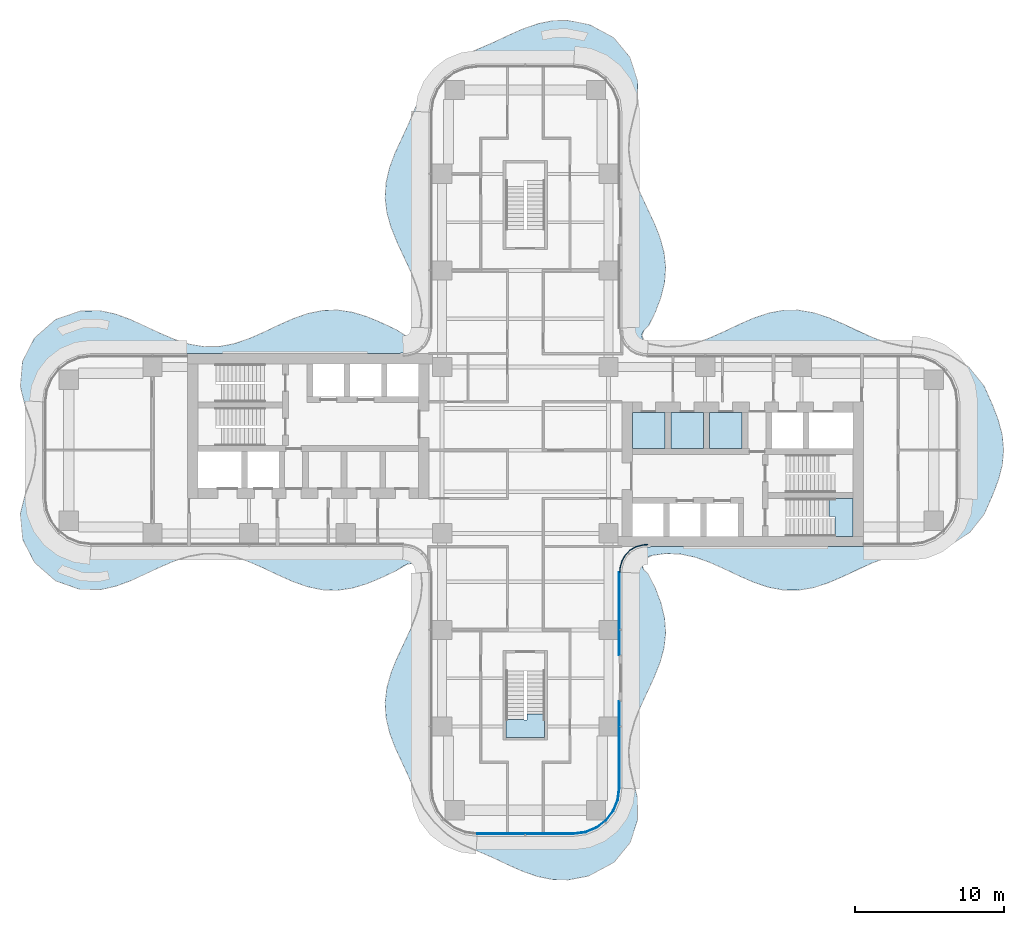
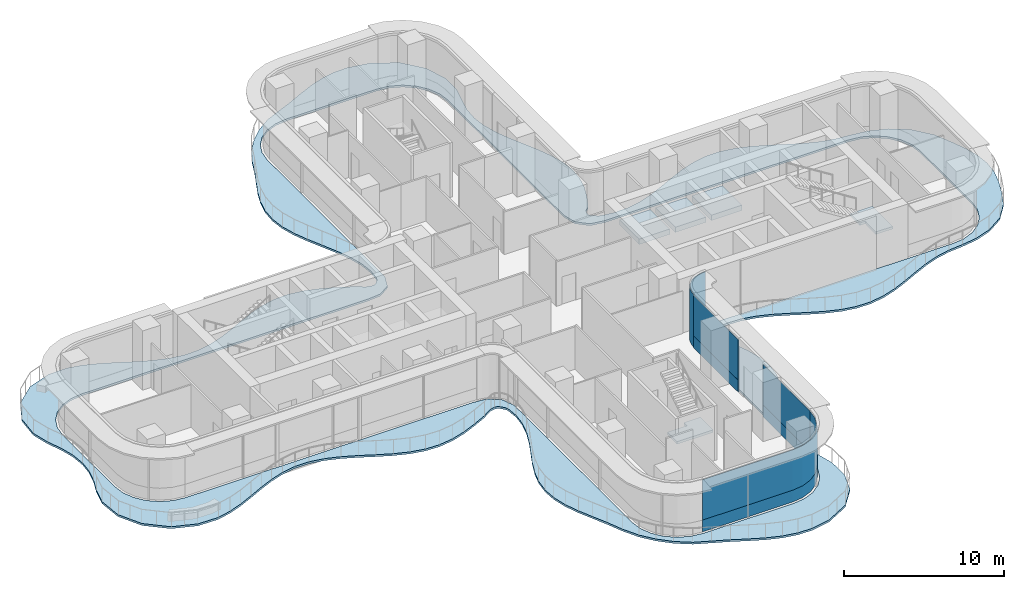
# One storey, part 13 of 20: 7 plates, 6 slabs, 6 elements without a shape of their own.
"""IFC4 building model written with IfcOpenShell, lengths in metres."""

import ifcopenshell
import ifcopenshell.guid

model = None  # the IFC model being written
_history = None  # IfcOwnerHistory: only IFC2X3 demands one
_inside = {}  # id of a spatial element -> (the spatial element, [elements in it])
_under = {}  # id of a project, library or spatial element -> (it, [spatial elements below it])
_declared = {}  # id of a project -> (the project, [libraries it declares])
_typed = {}  # id of a type object -> (the type object, [elements of that type])
_made_of = {}  # id of a material, layer set ... -> (it, [elements and type objects made of it])


def new_model(schema):
    """Start an empty IFC model of exactly this schema.

    Asked for "IFC4X3", IfcOpenShell would pick the latest addendum, in which some entities
    have other attributes; the version numbers below select the first issue.
    IFC2X3 requires an IfcOwnerHistory on every rooted entity: one is made here for all.
    """
    global model, _history
    if schema == "IFC4X3":
        model = ifcopenshell.file(schema_version=(4, 3, 0, 0))
    else:
        model = ifcopenshell.file(schema=schema)
    _inside.clear()
    _under.clear()
    _declared.clear()
    _typed.clear()
    _made_of.clear()
    _history = None
    if model.schema == "IFC2X3":
        org = make("IfcOrganization", Name="unknown")
        user = make(
            "IfcPersonAndOrganization",
            ThePerson=make("IfcPerson", FamilyName="unknown"),
            TheOrganization=org,
        )
        app = make(
            "IfcApplication",
            ApplicationDeveloper=org,
            Version="unknown",
            ApplicationFullName="unknown",
            ApplicationIdentifier="unknown",
        )
        _history = make(
            "IfcOwnerHistory",
            OwningUser=user,
            OwningApplication=app,
            ChangeAction="ADDED",
            CreationDate=0,
        )
    return model


def make(cls, **values):
    """One entity of the class cls with the attributes given. An attribute that is None is left unset."""
    return model.create_entity(
        cls, **{name: value for name, value in values.items() if value is not None}
    )


def rooted(cls, **values):
    """An entity with a GlobalId (a new one), such as an element, a storey or a relation."""
    return make(cls, GlobalId=ifcopenshell.guid.new(), OwnerHistory=_history, **values)


def si_unit(unit_type, name, prefix=None):
    """IfcSIUnit, for example si_unit("LENGTHUNIT", "METRE", prefix="MILLI")."""
    return make("IfcSIUnit", UnitType=unit_type, Prefix=prefix, Name=name)


def assignment(units):
    """IfcUnitAssignment: the units of a project."""
    return None if units is None else make("IfcUnitAssignment", Units=units)


def point(xyz):
    """IfcCartesianPoint."""
    return None if xyz is None else make("IfcCartesianPoint", Coordinates=xyz)


def direction(xyz):
    """IfcDirection."""
    return None if xyz is None else make("IfcDirection", DirectionRatios=xyz)


def frame(location, z_axis=None, x_axis=None):
    """IfcAxis2Placement3D, a coordinate frame: its origin and axes. An axis left out is left unset."""
    return make(
        "IfcAxis2Placement3D",
        Location=point(location),
        Axis=direction(z_axis),
        RefDirection=direction(x_axis),
    )


def origin():
    """The frame at (0, 0, 0) with its axes left unset."""
    return frame((0.0, 0.0, 0.0))


def place(relative_to, where):
    """IfcLocalPlacement: puts the frame where relative to a parent placement (None: the world)."""
    return make(
        "IfcLocalPlacement", PlacementRelTo=relative_to, RelativePlacement=where
    )


def context(
    kind, dimensions, precision=None, world=None, true_north=None, identifier=None
):
    """IfcGeometricRepresentationContext, for example the 3D "Model" context."""
    return make(
        "IfcGeometricRepresentationContext",
        ContextIdentifier=identifier,
        ContextType=kind,
        CoordinateSpaceDimension=dimensions,
        Precision=precision,
        WorldCoordinateSystem=world,
        TrueNorth=true_north,
    )


def subcontext(parent, identifier, kind, view, scale=None):
    """IfcGeometricRepresentationSubContext, for example "Body" below "Model"."""
    return make(
        "IfcGeometricRepresentationSubContext",
        ContextIdentifier=identifier,
        ContextType=kind,
        ParentContext=parent,
        TargetScale=scale,
        TargetView=view,
    )


def project(units=None, contexts=None):
    """IfcProject with its units and contexts."""
    return rooted(
        "IfcProject",
        Name="project",
        RepresentationContexts=contexts,
        UnitsInContext=assignment(units),
    )


def spatial(cls, under=None, at=None, **own):
    """A site, building, storey or space (cls), placed at a placement, below another one or the project."""
    s = rooted(cls, ObjectPlacement=at, **own)
    if under is not None:
        _under.setdefault(under.id(), (under, []))[1].append(s)
    return s


def polyline(points):
    """IfcPolyline through the points."""
    return make("IfcPolyline", Points=[point(p) for p in points])


def outline(outer, holes=None, kind="AREA"):
    """IfcArbitraryClosedProfileDef: a profile drawn as a closed curve; with holes, ...WithVoids."""
    if holes is None:
        return make("IfcArbitraryClosedProfileDef", ProfileType=kind, OuterCurve=outer)
    return make(
        "IfcArbitraryProfileDefWithVoids",
        ProfileType=kind,
        OuterCurve=outer,
        InnerCurves=holes,
    )


def extrude(swept, where, along, depth):
    """IfcExtrudedAreaSolid: the profile swept, set in the frame where, extruded along a direction by depth."""
    return make(
        "IfcExtrudedAreaSolid",
        SweptArea=swept,
        Position=where,
        ExtrudedDirection=direction(along),
        Depth=depth,
    )


def shape(context_of_items, identifier, shape_type, items):
    """IfcShapeRepresentation: the items that make up one representation, for example the "Body"."""
    return make(
        "IfcShapeRepresentation",
        ContextOfItems=context_of_items,
        RepresentationIdentifier=identifier,
        RepresentationType=shape_type,
        Items=items,
    )


def source(mapping_origin, context_of_items, identifier, shape_type, items):
    """IfcRepresentationMap: a shape defined once, which mapped items show again and again."""
    return make(
        "IfcRepresentationMap",
        MappingOrigin=mapping_origin,
        MappedRepresentation=shape(context_of_items, identifier, shape_type, items),
    )


def transform(
    local_origin,
    x_axis=None,
    y_axis=None,
    z_axis=None,
    scale=None,
    scale2=None,
    scale3=None,
    uniform=True,
):
    """IfcCartesianTransformationOperator3D, or its non-uniform kind. x_axis, y_axis, z_axis: its Axis1, 2, 3."""
    if uniform:
        return make(
            "IfcCartesianTransformationOperator3D",
            Axis1=direction(x_axis),
            Axis2=direction(y_axis),
            LocalOrigin=point(local_origin),
            Scale=scale,
            Axis3=direction(z_axis),
        )
    return make(
        "IfcCartesianTransformationOperator3DnonUniform",
        Axis1=direction(x_axis),
        Axis2=direction(y_axis),
        LocalOrigin=point(local_origin),
        Scale=scale,
        Axis3=direction(z_axis),
        Scale2=scale2,
        Scale3=scale3,
    )


def mapped(mapping_source, mapping_target):
    """IfcMappedItem: shows the shape of a source again, moved by a transform."""
    return make(
        "IfcMappedItem", MappingSource=mapping_source, MappingTarget=mapping_target
    )


def material(Name=None, Category=None):
    """IfcMaterial."""
    return make("IfcMaterial", Name=Name, Category=Category)


def layer(
    of_material, thickness, ventilated=None, Name=None, Category=None, Priority=None
):
    """IfcMaterialLayer: one layer of a wall or slab, of a material (None: an air gap)."""
    return make(
        "IfcMaterialLayer",
        Material=of_material,
        LayerThickness=thickness,
        IsVentilated=ventilated,
        Name=Name,
        Category=Category,
        Priority=Priority,
    )


def layer_set(layers, Name=None):
    """IfcMaterialLayerSet."""
    return make("IfcMaterialLayerSet", MaterialLayers=layers, LayerSetName=Name)


def made_of(thing, what):
    """Note that an element or type object is made of a material, layer set ...; save() writes the relation."""
    if what is not None:
        _made_of.setdefault(what.id(), (what, []))[1].append(thing)
    return thing


def type_object(cls, material=None, **own):
    """A type object (cls), such as IfcWallType, which elements share."""
    return made_of(rooted(cls, **own), material)


def element(
    cls,
    number,
    at=None,
    inside=None,
    cuts=None,
    type_object=None,
    material=None,
    context=None,
    identifier="Body",
    shape_type=None,
    held_by="IfcProductDefinitionShape",
    body=None,
    shapes=None,
    **own,
):
    """One element of the class cls, such as IfcWall. Its Tag is "e" and its number.

    at: its placement. inside: the storey or other place that contains it. cuts: it is an
    opening in that element (IfcRelVoidsElement). A single representation is given by context,
    identifier, shape_type and body (its items); several are given by shapes. held_by: the class
    of the entity that holds the representations. save() writes the other relations.
    """
    e = rooted(cls, Tag="e%d" % number, ObjectPlacement=at, **own)
    if body is not None:
        shapes = [shape(context, identifier, shape_type, body)]
    if shapes is not None:
        e.Representation = make(held_by, Representations=shapes)
    if inside is not None:
        _inside.setdefault(inside.id(), (inside, []))[1].append(e)
    if cuts is not None:
        rooted(
            "IfcRelVoidsElement", RelatingBuildingElement=cuts, RelatedOpeningElement=e
        )
    if type_object is not None:
        _typed.setdefault(type_object.id(), (type_object, []))[1].append(e)
    return made_of(e, material)


def aggregate(whole, parts):
    """IfcRelAggregates: a whole, such as a stair, and the parts it consists of."""
    return rooted("IfcRelAggregates", RelatingObject=whole, RelatedObjects=parts)


def save(model, path):
    """Write the relations noted so far, then the file.

    IfcRelAggregates (storeys below a building ...), IfcRelContainedInSpatialStructure (elements
    in a storey), IfcRelDefinesByType, IfcRelAssociatesMaterial and IfcRelDeclares: one each for
    every whole, place, type object, material and project.
    """
    for whole, parts in _under.values():
        aggregate(whole, parts)
    for where, things in _inside.values():
        rooted(
            "IfcRelContainedInSpatialStructure",
            RelatedElements=things,
            RelatingStructure=where,
        )
    for kind, things in _typed.values():
        rooted("IfcRelDefinesByType", RelatedObjects=things, RelatingType=kind)
    for what, things in _made_of.values():
        rooted("IfcRelAssociatesMaterial", RelatedObjects=things, RelatingMaterial=what)
    for by, libraries in _declared.values():
        rooted("IfcRelDeclares", RelatingContext=by, RelatedDefinitions=libraries)
    model.write(path)


model = new_model("IFC4")

# Units and contexts
model_context = context("Model", 3, precision=1e-05, world=origin(), true_north=direction((0.0, 1.0)))
body_context = subcontext(model_context, "Body", "Model", "MODEL_VIEW")
ifc_project = project(units=[si_unit("LENGTHUNIT", "METRE"), si_unit("AREAUNIT", "SQUARE_METRE"), si_unit("VOLUMEUNIT", "CUBIC_METRE"), si_unit("PLANEANGLEUNIT", "RADIAN"), si_unit("MASSUNIT", "GRAM", prefix="KILO")], contexts=[model_context])

# Site, building, storey
site_placement = place(None, origin())
site = spatial("IfcSite", under=ifc_project, at=site_placement, CompositionType="ELEMENT")
building_placement = place(site_placement, origin())
building = spatial("IfcBuilding", under=site, at=building_placement, Name="Trellis Farm Tower", CompositionType="ELEMENT")
storey_placement = place(building_placement, frame((0.0, 0.0, 151.5)))
storey = spatial("IfcBuildingStorey", under=building, at=storey_placement, Name="L32", CompositionType="ELEMENT", Elevation=151.5)

# Slab
ifc_material_1 = material(Name="Concrete C40/50", Category="concrete")
ifc_layer_1 = layer(ifc_material_1, 0.14990234375)
ifc_layer_set_1 = layer_set([ifc_layer_1], Name="Balcony slab 150")
slab_type_1 = type_object("IfcSlabType", Name="Balcony slab 150", PredefinedType="FLOOR", material=ifc_layer_set_1)
slab_1_placement = place(storey_placement, frame((0.0, 0.0, -0.14990234375)))
element("IfcSlab", 1, at=slab_1_placement, inside=storey, type_object=slab_type_1, Name="Balcony slab", PredefinedType="FLOOR", context=body_context, shape_type="SweptSolid", body=[
    extrude(outline(polyline([(-8.7001953125, -8.1171875), (-9.671630859375, -8.576171875), (-9.677978515625, -8.578857421875), (-10.66015625, -8.9892578125), (-10.67431640625, -8.994384765625), (-11.6484375, -9.290283203125), (-11.6708984375, -9.29541015625), (-12.671142578125, -9.43896484375), (-12.697998046875, -9.440185546875), (-13.667724609375, -9.404052734375), (-13.693115234375, -9.40087890625), (-14.6640625, -9.1962890625), (-14.68310546875, -9.19091796875), (-15.660400390625, -8.84521484375), (-15.67138671875, -8.8408203125), (-16.65673828125, -8.40087890625), (-16.659912109375, -8.3994140625), (-17.657470703125, -7.92529296875), (-17.65966796875, -7.92431640625), (-18.661865234375, -7.48876953125), (-18.668212890625, -7.486083984375), (-19.666259765625, -7.156494140625), (-19.676513671875, -7.154052734375), (-20.668212890625, -6.977294921875), (-20.68115234375, -6.97607421875), (-21.66455078125, -6.974609375), (-21.677490234375, -6.9755859375), (-22.656494140625, -7.146484375), (-22.666748046875, -7.14892578125), (-23.646240234375, -7.4677734375), (-23.652587890625, -7.47021484375), (-24.6240234375, -7.88818359375), (-24.626708984375, -7.889404296875), (-25.62841796875, -8.36474609375), (-25.631103515625, -8.365966796875), (-26.626220703125, -8.814208984375), (-26.63671875, -8.818603515625), (-27.602294921875, -9.16845703125), (-27.62060546875, -9.173828125), (-28.5810546875, -9.38818359375), (-28.61669921875, -9.3916015625), (-29.99951171875, -9.36328125), (-30.046142578125, -9.35498046875), (-31.5986328125, -8.80859375), (-31.624267578125, -8.796630859375), (-31.656005859375, -8.7783203125), (-31.678955078125, -8.761962890625), (-32.998046875, -7.6162109375), (-33.017578125, -7.595458984375), (-33.04052734375, -7.56640625), (-33.055908203125, -7.54248046875), (-33.8330078125, -6.0341796875), (-33.84375, -6.0078125), (-33.85400390625, -5.97265625), (-33.859375, -5.943603515625), (-34.002197265625, -4.325439453125), (-33.998291015625, -4.2763671875), (-33.688720703125, -3.0205078125), (-33.68310546875, -3.0029296875), (-33.305419921875, -2.016357421875), (-33.302978515625, -2.00830078125), (-33.048583984375, -1.0302734375), (-33.04638671875, -1.018310546875), (-32.95361328125, -0.038330078125), (-32.95361328125, -0.024658203125), (-33.04638671875, 1.018310546875), (-33.048583984375, 1.030517578125), (-33.302978515625, 2.00830078125), (-33.305419921875, 2.016357421875), (-33.68310546875, 3.0029296875), (-33.688720703125, 3.0205078125), (-33.998291015625, 4.2763671875), (-34.002197265625, 4.325439453125), (-33.859375, 5.943603515625), (-33.85400390625, 5.97265625), (-33.84375, 6.0078125), (-33.8330078125, 6.0341796875), (-33.055908203125, 7.54248046875), (-33.04052734375, 7.56640625), (-33.017578125, 7.595458984375), (-32.998046875, 7.6162109375), (-31.678955078125, 8.761962890625), (-31.656005859375, 8.7783203125), (-31.62451171875, 8.79638671875), (-31.598388671875, 8.80859375), (-29.991455078125, 9.364990234375), (-29.94482421875, 9.373046875), (-28.65673828125, 9.395751953125), (-28.622314453125, 9.392578125), (-27.642822265625, 9.18017578125), (-27.62353515625, 9.1748046875), (-26.62451171875, 8.813720703125), (-26.61376953125, 8.809326171875), (-25.631103515625, 8.365966796875), (-25.62841796875, 8.36474609375), (-24.626708984375, 7.889404296875), (-24.6240234375, 7.88818359375), (-23.622314453125, 7.458740234375), (-23.615478515625, 7.456298828125), (-22.617919921875, 7.136962890625), (-22.607421875, 7.134521484375), (-21.616455078125, 6.970703125), (-21.603271484375, 6.969482421875), (-20.6201171875, 6.981689453125), (-20.607421875, 6.98291015625), (-19.628662109375, 7.166259765625), (-19.61865234375, 7.168701171875), (-18.638916015625, 7.497314453125), (-18.6328125, 7.499755859375), (-17.65966796875, 7.92431640625), (-17.657470703125, 7.92529296875), (-16.65625, 8.401123046875), (-16.65283203125, 8.402587890625), (-15.658447265625, 8.845947265625), (-15.647216796875, 8.850341796875), (-14.660888671875, 9.197265625), (-14.641357421875, 9.20263671875), (-13.66357421875, 9.404541015625), (-13.637939453125, 9.407470703125), (-12.6669921875, 9.438720703125), (-12.640380859375, 9.437255859375), (-11.670654296875, 9.29541015625), (-11.648681640625, 9.290283203125), (-10.67431640625, 8.994384765625), (-10.66015625, 8.9892578125), (-9.685302734375, 8.58203125), (-9.678955078125, 8.579345703125), (-8.7001953125, 8.1171875), (-8.68359375, 8.10791015625), (-8.09375, 7.7314453125), (-8.080322265625, 7.724609375), (-7.96240234375, 7.679443359375), (-7.947509765625, 7.675537109375), (-7.677734375, 7.631103515625), (-7.658935546875, 7.630615234375), (-7.51318359375, 7.643798828125), (-7.478271484375, 7.656005859375), (-7.357177734375, 7.73828125), (-7.343017578125, 7.750732421875), (-7.119140625, 8.00439453125), (-7.106689453125, 8.0244140625), (-7.030029296875, 8.201904296875), (-7.024169921875, 8.22509765625), (-6.95458984375, 9.056640625), (-6.954833984375, 9.071044921875), (-7.060791015625, 10.0478515625), (-7.06298828125, 10.059326171875), (-7.328857421875, 11.0380859375), (-7.33154296875, 11.0458984375), (-7.712890625, 12.0087890625), (-7.714599609375, 12.012939453125), (-8.644775390625, 14.00634765625), (-8.64794921875, 14.013427734375), (-9.044189453125, 14.994384765625), (-9.049560546875, 15.010009765625), (-9.32373046875, 15.9833984375), (-9.328369140625, 16.00634765625), (-9.4443359375, 16.9755859375), (-9.4453125, 17.002685546875), (-9.3828125, 18.003173828125), (-9.379150390625, 18.0283203125), (-9.150634765625, 18.999755859375), (-9.145263671875, 19.017578125), (-8.786376953125, 19.98388671875), (-8.78173828125, 19.994873046875), (-7.860107421875, 21.980224609375), (-7.85888671875, 21.98291015625), (-7.401611328125, 23.07861328125), (-7.395751953125, 23.09130859375), (-6.8291015625, 24.158203125), (-6.814697265625, 24.180419921875), (-6.12255859375, 25.061279296875), (-6.10791015625, 25.077392578125), (-5.298828125, 25.845458984375), (-5.27978515625, 25.860595703125), (-4.286376953125, 26.5361328125), (-4.260986328125, 26.550048828125), (-2.131591796875, 27.45947265625), (-2.128662109375, 27.460693359375), (-1.130615234375, 27.93505859375), (-1.126953125, 27.93701171875), (-0.142333984375, 28.37158203125), (-0.13037109375, 28.376220703125), (0.869384765625, 28.71875), (0.888916015625, 28.72412109375), (1.836669921875, 28.910400390625), (1.862060546875, 28.9130859375), (2.826416015625, 28.935791015625), (2.8583984375, 28.93310546875), (4.287109375, 28.657958984375), (4.329345703125, 28.642822265625), (5.892578125, 27.8076171875), (5.9169921875, 27.79150390625), (5.9462890625, 27.767333984375), (5.967041015625, 27.74658203125), (7.033203125, 26.44921875), (7.048828125, 26.42578125), (7.066162109375, 26.394287109375), (7.077392578125, 26.36767578125), (7.560791015625, 24.841552734375), (7.56787109375, 24.793212890625), (7.538818359375, 23.384521484375), (7.533935546875, 23.349853515625), (7.2470703125, 22.245361328125), (7.24658203125, 22.2431640625), (7.01416015625, 21.228515625), (7.012451171875, 21.216064453125), (6.956298828125, 20.22998046875), (6.95654296875, 20.217041015625), (7.0654296875, 19.291015625), (7.067626953125, 19.279541015625), (7.355224609375, 18.247314453125), (7.35791015625, 18.2392578125), (7.7548828125, 17.25732421875), (7.75634765625, 17.253662109375), (8.678466796875, 15.279052734375), (8.68212890625, 15.27099609375), (9.070556640625, 14.290771484375), (9.075927734375, 14.274658203125), (9.339111328125, 13.3017578125), (9.343505859375, 13.2783203125), (9.4462890625, 12.30908203125), (9.44677734375, 12.281982421875), (9.37060546875, 11.281494140625), (9.36669921875, 11.2568359375), (9.12646484375, 10.284912109375), (9.12109375, 10.267578125), (8.75439453125, 9.302734375), (8.749267578125, 9.29052734375), (8.3125, 8.388671875), (8.297119140625, 8.363525390625), (8.274169921875, 8.333251953125), (8.254150390625, 8.3115234375), (7.99365234375, 8.080078125), (7.977294921875, 8.0595703125), (7.87548828125, 7.867919921875), (7.867431640625, 7.843017578125), (7.851806640625, 7.72607421875), (7.851806640625, 7.705078125), (7.876220703125, 7.54345703125), (7.893310546875, 7.506103515625), (8.00048828125, 7.3828125), (8.016357421875, 7.369140625), (8.3583984375, 7.148193359375), (8.372802734375, 7.14111328125), (8.4970703125, 7.094482421875), (8.512939453125, 7.09033203125), (9.44384765625, 6.960693359375), (9.45703125, 6.9599609375), (10.43896484375, 6.999267578125), (10.451416015625, 7.0009765625), (11.429931640625, 7.20849609375), (11.439453125, 7.211181640625), (12.3935546875, 7.54833984375), (12.39892578125, 7.550537109375), (13.40185546875, 7.996826171875), (13.4033203125, 7.997802734375), (14.40380859375, 8.47314453125), (14.408203125, 8.47509765625), (15.38671875, 8.90185546875), (15.3994140625, 8.90673828125), (16.399169921875, 9.239501953125), (16.41943359375, 9.24462890625), (17.3662109375, 9.418701171875), (17.391845703125, 9.421142578125), (18.36181640625, 9.430419921875), (18.388427734375, 9.42822265625), (19.388916015625, 9.25830078125), (19.409912109375, 9.253173828125), (20.38525390625, 8.9365234375), (20.398193359375, 8.931640625), (21.375732421875, 8.510986328125), (21.380859375, 8.5087890625), (22.37451171875, 8.037109375), (22.375732421875, 8.03662109375), (23.3603515625, 7.59228515625), (23.365478515625, 7.590087890625), (24.345947265625, 7.23388671875), (24.355224609375, 7.23095703125), (25.3857421875, 7.00244140625), (25.394775390625, 7.0009765625), (26.422607421875, 6.90283203125), (26.430908203125, 6.90185546875), (27.511474609375, 6.73779296875), (27.537109375, 6.7314453125), (28.68017578125, 6.34228515625), (28.712890625, 6.326416015625), (29.850830078125, 5.59423828125), (29.886474609375, 5.562255859375), (30.865966796875, 4.346923828125), (30.88623046875, 4.313720703125), (31.46240234375, 3.018310546875), (31.4658203125, 3.0107421875), (31.8466796875, 2.010498046875), (31.851806640625, 1.994873046875), (32.103515625, 1.022216796875), (32.107666015625, 0.99853515625), (32.197265625, 0.029296875), (32.197509765625, 0.002197265625), (32.107666015625, -0.998291015625), (32.103515625, -1.0224609375), (31.851806640625, -1.994873046875), (31.8466796875, -2.010498046875), (31.4658203125, -3.0107421875), (31.46240234375, -3.018310546875), (30.885986328125, -4.314208984375), (30.8662109375, -4.3466796875), (29.92724609375, -5.525146484375), (29.891845703125, -5.557373046875), (28.71337890625, -6.325927734375), (28.6796875, -6.34228515625), (27.537109375, -6.7314453125), (27.511474609375, -6.73779296875), (26.430908203125, -6.90185546875), (26.422607421875, -6.90283203125), (25.394775390625, -7.0009765625), (25.3857421875, -7.00244140625), (24.355224609375, -7.23095703125), (24.345947265625, -7.23388671875), (23.365478515625, -7.590087890625), (23.3603515625, -7.59228515625), (22.375732421875, -8.03662109375), (22.37451171875, -8.037109375), (21.380859375, -8.5087890625), (21.375732421875, -8.510986328125), (20.38330078125, -8.9375), (20.3701171875, -8.9423828125), (19.385498046875, -9.25927734375), (19.364501953125, -9.264404296875), (18.388427734375, -9.428466796875), (18.362060546875, -9.430419921875), (17.391845703125, -9.421142578125), (17.365966796875, -9.41845703125), (16.3955078125, -9.238525390625), (16.37548828125, -9.2333984375), (15.3994140625, -8.90673828125), (15.386962890625, -8.902099609375), (14.408203125, -8.47509765625), (14.40380859375, -8.47314453125), (13.4033203125, -7.997802734375), (13.40185546875, -7.996826171875), (12.39892578125, -7.550537109375), (12.3935546875, -7.54833984375), (11.439453125, -7.211181640625), (11.429931640625, -7.20849609375), (10.451416015625, -7.0009765625), (10.43896484375, -6.999267578125), (9.45703125, -6.9599609375), (9.44384765625, -6.960693359375), (8.512939453125, -7.09033203125), (8.4970703125, -7.094482421875), (8.372802734375, -7.14111328125), (8.3583984375, -7.148193359375), (8.016357421875, -7.369140625), (8.00048828125, -7.3828125), (7.893310546875, -7.506103515625), (7.876220703125, -7.54345703125), (7.851806640625, -7.705078125), (7.851806640625, -7.72607421875), (7.867431640625, -7.843017578125), (7.87548828125, -7.867919921875), (7.977294921875, -8.0595703125), (7.99365234375, -8.080078125), (8.254150390625, -8.3115234375), (8.274169921875, -8.333251953125), (8.297119140625, -8.363525390625), (8.3125, -8.388671875), (8.749267578125, -9.29052734375), (8.75439453125, -9.302734375), (9.12109375, -10.267578125), (9.12646484375, -10.284912109375), (9.36669921875, -11.2568359375), (9.37060546875, -11.281494140625), (9.44677734375, -12.281982421875), (9.4462890625, -12.30908203125), (9.343505859375, -13.2783203125), (9.339111328125, -13.3017578125), (9.075927734375, -14.274658203125), (9.070556640625, -14.290771484375), (8.68212890625, -15.27099609375), (8.678466796875, -15.279052734375), (7.75634765625, -17.253662109375), (7.7548828125, -17.25732421875), (7.35791015625, -18.2392578125), (7.355224609375, -18.247314453125), (7.067626953125, -19.279541015625), (7.0654296875, -19.291015625), (6.95654296875, -20.217041015625), (6.956298828125, -20.22998046875), (7.012451171875, -21.216064453125), (7.01416015625, -21.228515625), (7.24658203125, -22.2431640625), (7.2470703125, -22.245361328125), (7.533935546875, -23.349365234375), (7.538818359375, -23.385009765625), (7.559814453125, -24.849609375), (7.552490234375, -24.89794921875), (7.077392578125, -26.3681640625), (7.06640625, -26.393798828125), (7.048828125, -26.42578125), (7.033203125, -26.44921875), (5.967041015625, -27.74658203125), (5.9462890625, -27.767333984375), (5.917236328125, -27.791259765625), (5.89208984375, -27.807861328125), (4.27978515625, -28.660400390625), (4.237548828125, -28.67529296875), (2.89404296875, -28.930419921875), (2.86328125, -28.932861328125), (1.892333984375, -28.916259765625), (1.8662109375, -28.91357421875), (0.865966796875, -28.718017578125), (0.845947265625, -28.71240234375), (-0.130615234375, -28.376220703125), (-0.142333984375, -28.37158203125), (-1.126953125, -27.93701171875), (-1.130615234375, -27.93505859375), (-2.12890625, -27.460693359375), (-2.13134765625, -27.45947265625), (-4.290283203125, -26.533935546875), (-4.31591796875, -26.519775390625), (-5.280029296875, -25.860595703125), (-5.298583984375, -25.845458984375), (-6.10791015625, -25.077392578125), (-6.12255859375, -25.061279296875), (-6.814697265625, -24.180419921875), (-6.8291015625, -24.158203125), (-7.395751953125, -23.09130859375), (-7.401611328125, -23.07861328125), (-7.85888671875, -21.98291015625), (-7.860107421875, -21.980224609375), (-8.777099609375, -20.006591796875), (-8.781494140625, -19.995361328125), (-9.151611328125, -18.99658203125), (-9.156982421875, -18.978515625), (-9.38330078125, -17.999267578125), (-9.386962890625, -17.974365234375), (-9.4453125, -17.002685546875), (-9.4443359375, -16.975830078125), (-9.328369140625, -16.006103515625), (-9.323974609375, -15.9833984375), (-9.0556640625, -15.0283203125), (-9.05029296875, -15.0126953125), (-8.64794921875, -14.013671875), (-8.644775390625, -14.006103515625), (-7.714599609375, -12.012939453125), (-7.712890625, -12.0087890625), (-7.319091796875, -11.00830078125), (-7.31640625, -11.0), (-7.052734375, -10.00439453125), (-7.050537109375, -9.9931640625), (-6.954833984375, -9.07080078125), (-6.95458984375, -9.056884765625), (-7.024169921875, -8.22509765625), (-7.030029296875, -8.201904296875), (-7.106689453125, -8.0244140625), (-7.119140625, -8.00439453125), (-7.343017578125, -7.750732421875), (-7.357177734375, -7.73828125), (-7.478271484375, -7.656005859375), (-7.51318359375, -7.643798828125), (-7.658935546875, -7.630615234375), (-7.677734375, -7.631103515625), (-7.947509765625, -7.675537109375), (-7.96240234375, -7.679443359375), (-8.080322265625, -7.724609375), (-8.09375, -7.7314453125), (-8.68359375, -8.10791015625), (-8.7001953125, -8.1171875)]), holes=[polyline([(-7.642578125, -6.6201171875), (-6.938232421875, -7.076171875), (-6.903564453125, -7.107177734375), (-6.8671875, -7.151611328125), (-6.84375, -7.191650390625), (-6.529541015625, -7.9912109375), (-6.52197265625, -8.01708984375), (-6.51513671875, -8.0517578125), (-6.512451171875, -8.07861328125), (-6.50048828125, -8.98486328125), (-6.50048828125, -22.75), (-6.389892578125, -23.59130859375), (-6.065185546875, -24.375244140625), (-5.548583984375, -25.048583984375), (-4.875244140625, -25.565185546875), (-4.09130859375, -25.889892578125), (-3.25, -26.00048828125), (3.25, -26.00048828125), (4.09130859375, -25.889892578125), (4.875244140625, -25.565185546875), (5.548583984375, -25.048583984375), (6.065185546875, -24.375244140625), (6.389892578125, -23.59130859375), (6.50048828125, -22.75), (6.50048828125, -8.326416015625), (6.504150390625, -8.29638671875), (6.718017578125, -7.40869140625), (6.734375, -7.367919921875), (6.761474609375, -7.32177734375), (6.78857421875, -7.2880859375), (7.39697265625, -6.719970703125), (7.432373046875, -6.6953125), (7.48046875, -6.67138671875), (7.521728515625, -6.657958984375), (8.4248046875, -6.502197265625), (8.443115234375, -6.50048828125), (26.0, -6.50048828125), (26.84130859375, -6.389892578125), (27.625244140625, -6.065185546875), (28.298583984375, -5.548583984375), (28.815185546875, -4.875244140625), (29.139892578125, -4.09130859375), (29.25048828125, -3.25), (29.25048828125, 3.25), (29.139892578125, 4.09130859375), (28.815185546875, 4.875244140625), (28.298583984375, 5.548583984375), (27.625244140625, 6.065185546875), (26.84130859375, 6.389892578125), (26.0, 6.50048828125), (8.443115234375, 6.50048828125), (8.4248046875, 6.502197265625), (7.521728515625, 6.657958984375), (7.48046875, 6.67138671875), (7.432373046875, 6.6953125), (7.39697265625, 6.719970703125), (6.78857421875, 7.2880859375), (6.761474609375, 7.32177734375), (6.734375, 7.367919921875), (6.718017578125, 7.40869140625), (6.504150390625, 8.29638671875), (6.50048828125, 8.326416015625), (6.50048828125, 22.75), (6.389892578125, 23.59130859375), (6.065185546875, 24.375244140625), (5.548583984375, 25.048583984375), (4.875244140625, 25.565185546875), (4.09130859375, 25.889892578125), (3.25, 26.00048828125), (-3.25, 26.00048828125), (-4.09130859375, 25.889892578125), (-4.875244140625, 25.565185546875), (-5.548583984375, 25.048583984375), (-6.065185546875, 24.375244140625), (-6.389892578125, 23.59130859375), (-6.50048828125, 22.75), (-6.50048828125, 8.98486328125), (-6.512451171875, 8.07861328125), (-6.51513671875, 8.0517578125), (-6.52197265625, 8.01708984375), (-6.529541015625, 7.9912109375), (-6.84375, 7.191650390625), (-6.8671875, 7.151611328125), (-6.903564453125, 7.107177734375), (-6.938232421875, 7.076171875), (-7.642578125, 6.6201171875), (-7.67529296875, 6.604248046875), (-7.718994140625, 6.589111328125), (-7.7548828125, 6.58154296875), (-8.682373046875, 6.50048828125), (-29.25, 6.50048828125), (-30.09130859375, 6.389892578125), (-30.875244140625, 6.065185546875), (-31.548583984375, 5.548583984375), (-32.065185546875, 4.875244140625), (-32.389892578125, 4.09130859375), (-32.50048828125, 3.25), (-32.50048828125, -3.25), (-32.389892578125, -4.09130859375), (-32.065185546875, -4.875244140625), (-31.548583984375, -5.548583984375), (-30.875244140625, -6.065185546875), (-30.09130859375, -6.389892578125), (-29.25, -6.50048828125), (-8.682373046875, -6.50048828125), (-7.7548828125, -6.58154296875), (-7.718994140625, -6.589111328125), (-7.67529296875, -6.604248046875), (-7.642578125, -6.6201171875)])]), origin(), (0.0, 0.0, 1.0), 0.14990234375),
])

# Curtain wall, plate
ifc_material_2 = material(Name="Aluminium and glass curtain wall", Category="aluminium")
ifc_layer_2 = layer(ifc_material_2, 0.18994140625)
ifc_layer_set_2 = layer_set([ifc_layer_2], Name="RIBBON CURTAIN WALL CW1")
curtain_wall_type_1 = type_object("IfcCurtainWallType", Name="RIBBON CURTAIN WALL CW1", PredefinedType="NOTDEFINED", material=ifc_layer_set_2)
placement_1 = place(storey_placement, origin())
curtain_wall_1 = element("IfcCurtainWall", 2, at=placement_1, inside=storey, type_object=curtain_wall_type_1, Name="CW1 003", PredefinedType="NOTDEFINED")
ifc_material_3 = material(Name="Clear insulated glass", Category="glass")
ifc_layer_3 = layer(ifc_material_3, 0.0400390625)
ifc_layer_set_3 = layer_set([ifc_layer_3], Name="CW1 GLASS PANEL 40")
plate_type_1 = type_object("IfcPlateType", Name="CW1 GLASS PANEL 40", PredefinedType="CURTAIN_PANEL", material=ifc_layer_set_3)
placement_2 = place(storey_placement, frame((0.0, 0.0, 0.89990234375)))
plate_1 = element("IfcPlate", 3, at=placement_2, type_object=plate_type_1, Name="PL1 003", PredefinedType="CURTAIN_PANEL", context=body_context, shape_type="SweptSolid", body=[
    extrude(outline(polyline([(-3.240234375, -25.85009765625), (3.240234375, -25.85009765625), (4.052001953125, -25.7431640625), (4.79931640625, -25.43359375), (5.441162109375, -24.941162109375), (5.93359375, -24.29931640625), (6.2431640625, -23.552001953125), (6.35009765625, -22.740234375), (6.31005859375, -22.737548828125), (6.2041015625, -23.54150390625), (5.898681640625, -24.279296875), (5.41259765625, -24.91259765625), (4.779296875, -25.398681640625), (4.04150390625, -25.7041015625), (3.237548828125, -25.81005859375), (-3.237548828125, -25.81005859375), (-3.240234375, -25.85009765625)])), origin(), (0.0, 0.0, 1.0), 3.070068359375),
])

curtain_wall_2 = element("IfcCurtainWall", 4, at=placement_1, inside=storey, type_object=curtain_wall_type_1, Name="CW1 004", PredefinedType="NOTDEFINED")
plate_2 = element("IfcPlate", 5, at=placement_2, type_object=plate_type_1, Name="PL1 004", PredefinedType="CURTAIN_PANEL", context=body_context, shape_type="SweptSolid", body=[
    extrude(outline(polyline([(6.35009765625, -22.740234375), (6.35009765625, -16.909912109375), (6.31005859375, -16.909912109375), (6.31005859375, -22.737548828125), (6.35009765625, -22.740234375)])), origin(), (0.0, 0.0, 1.0), 3.070068359375),
])

curtain_wall_3 = element("IfcCurtainWall", 6, at=placement_1, inside=storey, type_object=curtain_wall_type_1, Name="CW1 005", PredefinedType="NOTDEFINED")
plate_3 = element("IfcPlate", 7, at=placement_2, type_object=plate_type_1, Name="PL1 005", PredefinedType="CURTAIN_PANEL", context=body_context, shape_type="SweptSolid", body=[
    extrude(outline(polyline([(6.35009765625, -13.7900390625), (6.35009765625, -8.2265625), (6.31005859375, -8.22509765625), (6.31005859375, -13.7900390625), (6.35009765625, -13.7900390625)])), origin(), (0.0, 0.0, 1.0), 3.070068359375),
])

ifc_layer_4 = layer(ifc_material_2, 0.166015625)
ifc_layer_set_4 = layer_set([ifc_layer_4], Name="WINTER GARDEN CURTAIN WALL CW3")
curtain_wall_type_2 = type_object("IfcCurtainWallType", Name="WINTER GARDEN CURTAIN WALL CW3", PredefinedType="NOTDEFINED", material=ifc_layer_set_4)
curtain_wall_4 = element("IfcCurtainWall", 8, at=placement_1, inside=storey, type_object=curtain_wall_type_2, Name="CW3 002", PredefinedType="NOTDEFINED")
ifc_layer_5 = layer(ifc_material_3, 0.0458984375)
ifc_layer_set_5 = layer_set([ifc_layer_5], Name="CW3 GLASS PANEL 46")
plate_type_2 = type_object("IfcPlateType", Name="CW3 GLASS PANEL 46", PredefinedType="CURTAIN_PANEL", material=ifc_layer_set_5)
plate_4 = element("IfcPlate", 9, at=placement_1, type_object=plate_type_2, Name="PL3 002", PredefinedType="CURTAIN_PANEL", context=body_context, shape_type="SweptSolid", body=[
    extrude(outline(polyline([(6.3798828125, -8.2275390625), (6.394287109375, -8.0078125), (6.40966796875, -7.89208984375), (6.52490234375, -7.462158203125), (6.7509765625, -7.070556640625), (7.070556640625, -6.7509765625), (7.462158203125, -6.52490234375), (7.89208984375, -6.40966796875), (8.0078125, -6.394287109375), (8.2275390625, -6.3798828125), (8.22607421875, -6.333984375), (8.003173828125, -6.3486328125), (7.883056640625, -6.364501953125), (7.4443359375, -6.48193359375), (7.04248046875, -6.714111328125), (6.714111328125, -7.04248046875), (6.48193359375, -7.4443359375), (6.364501953125, -7.883056640625), (6.3486328125, -8.003173828125), (6.333984375, -8.22607421875), (6.3798828125, -8.2275390625)])), origin(), (0.0, 0.0, 1.0), 4.0),
])
aggregate(curtain_wall_4, [plate_4])

# Slabs
ifc_material_4 = material(Name="Concrete C70/85", Category="concrete")
ifc_layer_6 = layer(ifc_material_4, 0.39990234375)
ifc_layer_set_6 = layer_set([ifc_layer_6], Name="LIFT PIT SLAB 400 CONCRETE C70/85")
slab_type_2 = type_object("IfcSlabType", Name="LIFT PIT SLAB 400 CONCRETE C70/85", PredefinedType="FLOOR", material=ifc_layer_set_6)
placement_3 = place(storey_placement, frame((0.0, 0.0, 2.5)))
element("IfcSlab", 10, at=placement_3, inside=storey, type_object=slab_type_2, Name="Lift pit slab", PredefinedType="FLOOR", context=body_context, shape_type="SweptSolid", body=[
    extrude(outline(polyline([(7.199951171875, 0.10009765625), (9.39990234375, 0.10009765625), (9.39990234375, 2.550048828125), (7.199951171875, 2.550048828125), (7.199951171875, 0.10009765625)])), origin(), (0.0, 0.0, 1.0), 0.39990234375),
])
element("IfcSlab", 11, at=placement_3, inside=storey, type_object=slab_type_2, Name="Lift pit slab", PredefinedType="FLOOR", context=body_context, shape_type="SweptSolid", body=[
    extrude(outline(polyline([(9.800048828125, 0.10009765625), (12.0, 0.10009765625), (12.0, 2.550048828125), (9.800048828125, 2.550048828125), (9.800048828125, 0.10009765625)])), origin(), (0.0, 0.0, 1.0), 0.39990234375),
])
element("IfcSlab", 12, at=placement_3, inside=storey, type_object=slab_type_2, Name="Lift pit slab", PredefinedType="FLOOR", context=body_context, shape_type="SweptSolid", body=[
    extrude(outline(polyline([(12.39990234375, 0.10009765625), (14.60009765625, 0.10009765625), (14.60009765625, 2.550048828125), (12.39990234375, 2.550048828125), (12.39990234375, 0.10009765625)])), origin(), (0.0, 0.0, 1.0), 0.39990234375),
])

# Stair, slab
ifc_material_5 = material(Name="Concrete C50/60", Category="concrete")
stair_type = type_object("IfcStairType", Name="CORE EXIT STAIR 26 RISERS 173 MM", PredefinedType="HALF_TURN_STAIR", material=ifc_material_5)
stair_1 = element("IfcStair", 13, at=placement_1, inside=storey, type_object=stair_type, Name="Exit stair S", PredefinedType="HALF_TURN_STAIR")
ifc_layer_7 = layer(ifc_material_5, 0.18994140625)
ifc_layer_set_7 = layer_set([ifc_layer_7], Name="CORE STAIR LANDING 190 CONCRETE C50/60")
slab_type_3 = type_object("IfcSlabType", Name="CORE STAIR LANDING 190 CONCRETE C50/60", PredefinedType="LANDING", material=ifc_layer_set_7)
shared_shape_1 = source(origin(), body_context, "Body", "SweptSolid", [
    extrude(outline(polyline([(1.300048828125, -19.35009765625), (-1.300048828125, -19.35009765625), (-1.300048828125, -18.14990234375), (-1.300048828125, -18.139892578125), (-0.10009765625, -18.139892578125), (-0.10009765625, -18.14990234375), (0.10009765625, -18.14990234375), (0.10009765625, -17.753173828125), (1.300048828125, -17.753173828125), (1.300048828125, -18.14990234375), (1.300048828125, -19.35009765625)])), origin(), (0.0, 0.0, 1.0), 0.18994140625),
])
placement_4 = place(storey_placement, frame((0.0, 0.0, 2.06005859375)))
slab_5 = element("IfcSlab", 14, at=placement_4, type_object=slab_type_3, Name="STS landing 1", PredefinedType="LANDING", context=body_context, shape_type="MappedRepresentation", body=[
    mapped(shared_shape_1, transform((0.0, 0.0, 0.0))),
])
aggregate(stair_1, [slab_5])

stair_2 = element("IfcStair", 15, at=placement_1, inside=storey, type_object=stair_type, Name="Exit stair E1", PredefinedType="HALF_TURN_STAIR")
shared_shape_2 = source(origin(), body_context, "Body", "SweptSolid", [
    extrude(outline(polyline([(20.840087890625, -5.800048828125), (20.840087890625, -4.60009765625), (20.85009765625, -4.60009765625), (20.85009765625, -4.449951171875), (20.453125, -4.449951171875), (20.453125, -3.25), (20.85009765625, -3.25), (22.050048828125, -3.25), (22.050048828125, -5.800048828125), (20.85009765625, -5.800048828125), (20.840087890625, -5.800048828125)])), origin(), (0.0, 0.0, 1.0), 0.18994140625),
])
slab_6 = element("IfcSlab", 16, at=placement_4, type_object=slab_type_3, Name="STE1 landing 1", PredefinedType="LANDING", context=body_context, shape_type="MappedRepresentation", body=[
    mapped(shared_shape_2, transform((0.0, 0.0, 0.0))),
])
aggregate(stair_2, [slab_6])

# Plate
ifc_material_6 = material(Name="Sandstone faced insulated panel", Category="masonry")
ifc_layer_8 = layer(ifc_material_6, 0.050048828125)
ifc_layer_set_8 = layer_set([ifc_layer_8], Name="CW1 STONE SPANDREL PANEL 50")
plate_type_3 = type_object("IfcPlateType", Name="CW1 STONE SPANDREL PANEL 50", PredefinedType="CURTAIN_PANEL", material=ifc_layer_set_8)
shared_shape_3 = source(origin(), body_context, "Body", "SweptSolid", [
    extrude(outline(polyline([(-3.240234375, -25.85009765625), (3.240234375, -25.85009765625), (4.052001953125, -25.7431640625), (4.79931640625, -25.43359375), (5.441162109375, -24.941162109375), (5.93359375, -24.29931640625), (6.2431640625, -23.552001953125), (6.35009765625, -22.740234375), (6.300048828125, -22.73681640625), (6.1943359375, -23.5390625), (5.889892578125, -24.274169921875), (5.405517578125, -24.905517578125), (4.774169921875, -25.389892578125), (4.0390625, -25.6943359375), (3.23681640625, -25.800048828125), (-3.23681640625, -25.800048828125), (-3.240234375, -25.85009765625)])), origin(), (0.0, 0.0, 1.0), 0.89990234375),
])
plate_5 = element("IfcPlate", 17, at=placement_1, type_object=plate_type_3, Name="PS1 003", PredefinedType="CURTAIN_PANEL", context=body_context, shape_type="MappedRepresentation", body=[
    mapped(shared_shape_3, transform((0.0, 0.0, 0.0))),
])

aggregate(curtain_wall_1, [plate_1, plate_5])

shared_shape_4 = source(origin(), body_context, "Body", "SweptSolid", [
    extrude(outline(polyline([(6.35009765625, -22.740234375), (6.35009765625, -16.909912109375), (6.300048828125, -16.909912109375), (6.300048828125, -22.73681640625), (6.35009765625, -22.740234375)])), origin(), (0.0, 0.0, 1.0), 0.89990234375),
])
plate_6 = element("IfcPlate", 18, at=placement_1, type_object=plate_type_3, Name="PS1 004", PredefinedType="CURTAIN_PANEL", context=body_context, shape_type="MappedRepresentation", body=[
    mapped(shared_shape_4, transform((0.0, 0.0, 0.0))),
])

aggregate(curtain_wall_2, [plate_2, plate_6])

shared_shape_5 = source(origin(), body_context, "Body", "SweptSolid", [
    extrude(outline(polyline([(6.35009765625, -13.7900390625), (6.35009765625, -8.2265625), (6.300048828125, -8.224853515625), (6.300048828125, -13.7900390625), (6.35009765625, -13.7900390625)])), origin(), (0.0, 0.0, 1.0), 0.89990234375),
])
plate_7 = element("IfcPlate", 19, at=placement_1, type_object=plate_type_3, Name="PS1 005", PredefinedType="CURTAIN_PANEL", context=body_context, shape_type="MappedRepresentation", body=[
    mapped(shared_shape_5, transform((0.0, 0.0, 0.0))),
])

aggregate(curtain_wall_3, [plate_3, plate_7])

save(model, "model.ifc")
